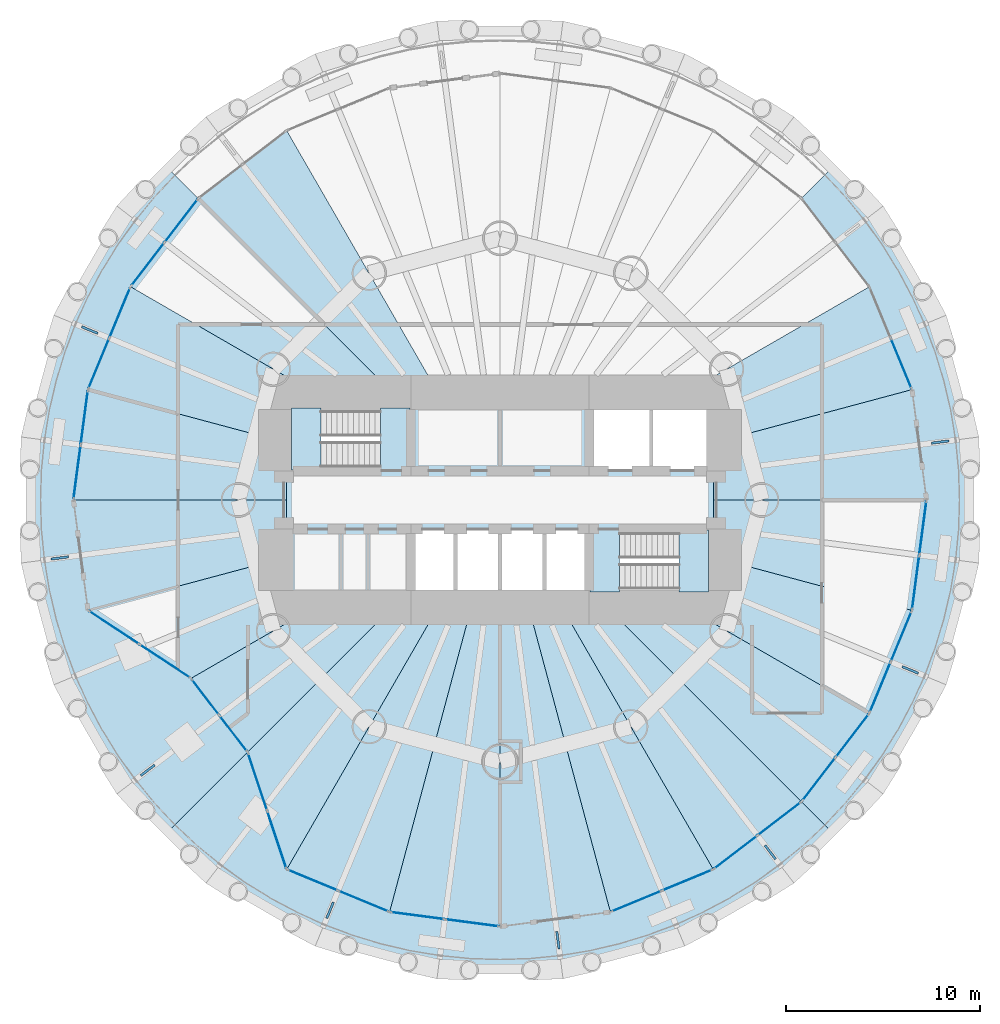
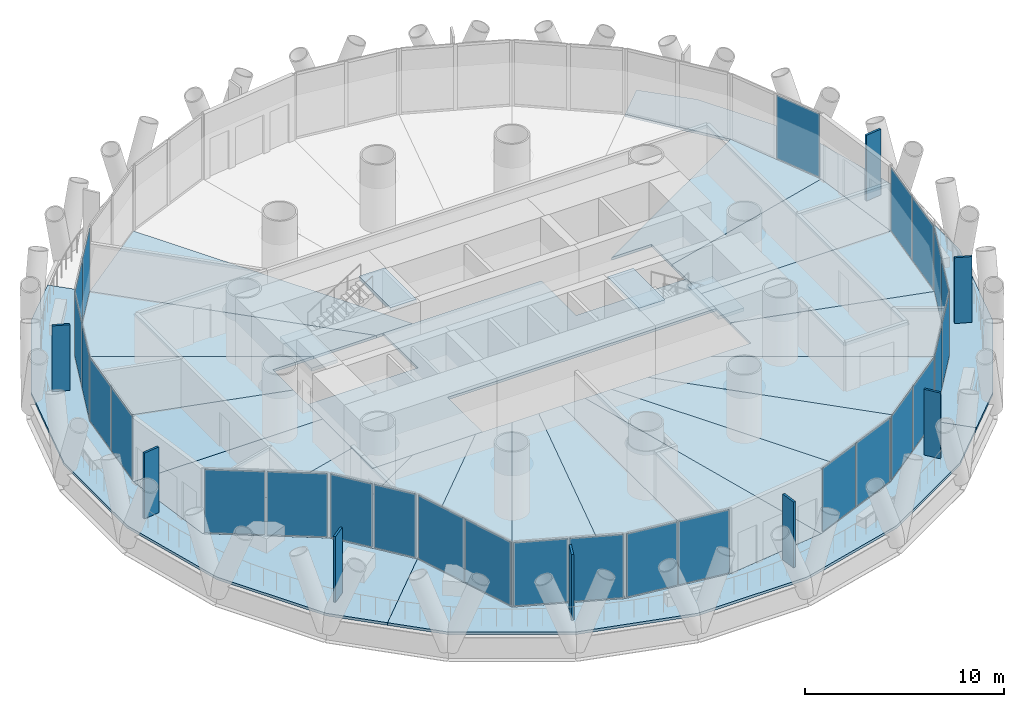
# One storey, part 7 of 14: 35 plates, 26 slabs, 16 elements without a shape of their own.
"""IFC4 building model written with IfcOpenShell, lengths in metres."""

from ifc_helpers import new_model, si_unit, direction, frame, origin, origin_2d, place, context, subcontext, project, spatial, polyline, rectangle, outline, extrude, material, layer, layer_set, type_object, element, aggregate, save


model = new_model("IFC4")

# Units and contexts
model_context = context("Model", 3, precision=1e-05, world=origin(), true_north=direction((0.0, 1.0)))
body_context = subcontext(model_context, "Body", "Model", "MODEL_VIEW")
ifc_project = project(units=[si_unit("LENGTHUNIT", "METRE"), si_unit("AREAUNIT", "SQUARE_METRE"), si_unit("VOLUMEUNIT", "CUBIC_METRE"), si_unit("PLANEANGLEUNIT", "RADIAN"), si_unit("MASSUNIT", "GRAM", prefix="KILO")], contexts=[model_context])

# Site, building, storey
site_placement = place(None, origin())
site = spatial("IfcSite", under=ifc_project, at=site_placement, CompositionType="ELEMENT")
building_placement = place(site_placement, origin())
building = spatial("IfcBuilding", under=site, at=building_placement, Name="Qaws Media Tower", CompositionType="ELEMENT")
storey_placement = place(building_placement, frame((0.0, 0.0, 185.60009765625)))
storey = spatial("IfcBuildingStorey", under=building, at=storey_placement, Name="L42", CompositionType="ELEMENT", Elevation=185.60009765625)

# Slabs
ifc_material_1 = material(Name="Concrete C35/45", Category="concrete")
ifc_layer_1 = layer(ifc_material_1, 0.159912109375)
ifc_layer_set_1 = layer_set([ifc_layer_1], Name="Composite balcony slab 160")
slab_type_1 = type_object("IfcSlabType", Name="Composite balcony slab 160", PredefinedType="FLOOR", material=ifc_layer_set_1)
slab_1_placement = place(storey_placement, frame((0.0, 0.0, -0.16015625)))
element("IfcSlab", 1, at=slab_1_placement, inside=storey, type_object=slab_type_1, Name="S2 balcony slab L42 R10 to R16, movement joints on R10 and R16", PredefinedType="FLOOR", context=body_context, shape_type="SweptSolid", body=[
    extrude(outline(polyline([(40.64208984375, 35.146240234375), (37.457275390625, 40.66259765625), (35.80859375, 46.815185546875), (35.80859375, 53.184814453125), (37.457275390625, 59.33740234375), (40.64208984375, 64.853759765625), (42.894287109375, 67.105712890625), (44.443603515625, 65.556396484375), (40.947509765625, 61.0), (38.74951171875, 55.694091796875), (38.0, 50.0), (38.74951171875, 44.305908203125), (44.065185546875, 40.800048828125), (46.9892578125, 36.9892578125), (42.894287109375, 32.894287109375), (40.64208984375, 35.146240234375)])), origin(), (0.0, 0.0, 1.0), 0.16015625),
])
slab_2_placement = place(storey_placement, frame((0.0, 0.0, -0.16015625)))
element("IfcSlab", 2, at=slab_2_placement, inside=storey, type_object=slab_type_1, Name="S2 balcony slab L42 R16 to R22, movement joints on R16 and R22", PredefinedType="FLOOR", context=body_context, shape_type="SweptSolid", body=[
    extrude(outline(polyline([(74.853759765625, 30.64208984375), (69.33740234375, 27.457275390625), (63.184814453125, 25.80859375), (56.815185546875, 25.80859375), (50.66259765625, 27.457275390625), (45.146240234375, 30.64208984375), (42.894287109375, 32.894287109375), (46.9892578125, 36.9892578125), (49.0, 30.947509765625), (54.305908203125, 28.74951171875), (60.0, 28.0), (65.694091796875, 28.74951171875), (71.0, 30.947509765625), (75.556396484375, 34.443603515625), (77.105712890625, 32.894287109375), (74.853759765625, 30.64208984375)])), origin(), (0.0, 0.0, 1.0), 0.16015625),
])
slab_3_placement = place(storey_placement, frame((0.0, 0.0, -0.16015625)))
element("IfcSlab", 3, at=slab_3_placement, inside=storey, type_object=slab_type_1, Name="S2 balcony slab L42 R22 to R04, movement joints on R22 and R04", PredefinedType="FLOOR", context=body_context, shape_type="SweptSolid", body=[
    extrude(outline(polyline([(82.542724609375, 40.66259765625), (79.35791015625, 35.146240234375), (77.105712890625, 32.894287109375), (75.556396484375, 34.443603515625), (79.052490234375, 39.0), (81.25048828125, 44.305908203125), (82.0, 50.0), (81.25048828125, 55.694091796875), (79.052490234375, 61.0), (75.556396484375, 65.556396484375), (77.105712890625, 67.105712890625), (79.35791015625, 64.853759765625), (82.542724609375, 59.33740234375), (84.19140625, 53.184814453125), (84.19140625, 46.815185546875), (82.542724609375, 40.66259765625)])), origin(), (0.0, 0.0, 1.0), 0.16015625),
])
ifc_material_2 = material(Name="Concrete C35/45", Category="concrete")
ifc_layer_2 = layer(ifc_material_2, 0.159912109375)
ifc_layer_set_2 = layer_set([ifc_layer_2], Name="Composite floor slab 160")
slab_type_2 = type_object("IfcSlabType", Name="Composite floor slab 160", PredefinedType="FLOOR", material=ifc_layer_set_2)
slab_4_placement = place(storey_placement, frame((0.0, 0.0, -0.16015625)))
element("IfcSlab", 4, at=slab_4_placement, inside=storey, type_object=slab_type_2, Name="S1 core floor slab L42", PredefinedType="FLOOR", context=body_context, shape_type="SweptSolid", body=[
    extrude(outline(polyline([(71.0, 51.5), (71.0, 48.5), (55.39990234375, 48.5), (55.39990234375, 45.0), (49.0, 45.0), (49.0, 51.5), (55.39990234375, 51.5), (55.39990234375, 55.0), (64.60009765625, 55.0), (64.60009765625, 51.5), (71.0, 51.5)])), origin(), (0.0, 0.0, 1.0), 0.16015625),
])
slab_5_placement = place(storey_placement, frame((0.0, 0.0, -0.16015625)))
element("IfcSlab", 5, at=slab_5_placement, inside=storey, type_object=slab_type_2, Name="S1 floor panel L42 on R01+7.5", PredefinedType="FLOOR", context=body_context, shape_type="SweptSolid", body=[
    extrude(outline(polyline([(81.25048828125, 55.694091796875), (82.0, 50.0), (71.0, 50.0), (71.0, 52.947509765625), (81.25048828125, 55.694091796875)])), origin(), (0.0, 0.0, 1.0), 0.16015625),
])
slab_6_placement = place(storey_placement, frame((0.0, 0.0, -0.16015625)))
element("IfcSlab", 6, at=slab_6_placement, inside=storey, type_object=slab_type_2, Name="S1 floor panel L42 on R02+7.5", PredefinedType="FLOOR", context=body_context, shape_type="SweptSolid", body=[
    extrude(outline(polyline([(79.052490234375, 61.0), (81.25048828125, 55.694091796875), (71.0, 52.947509765625), (71.0, 55.0), (68.660400390625, 55.0), (79.052490234375, 61.0)])), origin(), (0.0, 0.0, 1.0), 0.16015625),
])
slab_7_placement = place(storey_placement, frame((0.0, 0.0, -0.16015625)))
element("IfcSlab", 7, at=slab_7_placement, inside=storey, type_object=slab_type_2, Name="S1 floor panel L42 on R09+7.5", PredefinedType="FLOOR", context=body_context, shape_type="SweptSolid", body=[
    extrude(outline(polyline([(49.0, 69.052490234375), (57.11328125, 55.0), (55.0, 55.0), (44.443603515625, 65.556396484375), (49.0, 69.052490234375)])), origin(), (0.0, 0.0, 1.0), 0.16015625),
])
slab_8_placement = place(storey_placement, frame((0.0, 0.0, -0.16015625)))
element("IfcSlab", 8, at=slab_8_placement, inside=storey, type_object=slab_type_2, Name="S1 floor panel L42 on R10+7.5", PredefinedType="FLOOR", context=body_context, shape_type="SweptSolid", body=[
    extrude(outline(polyline([(44.443603515625, 65.556396484375), (55.0, 55.0), (51.339599609375, 55.0), (40.947509765625, 61.0), (44.443603515625, 65.556396484375)])), origin(), (0.0, 0.0, 1.0), 0.16015625),
])
slab_9_placement = place(storey_placement, frame((0.0, 0.0, -0.16015625)))
element("IfcSlab", 9, at=slab_9_placement, inside=storey, type_object=slab_type_2, Name="S1 floor panel L42 on R11+7.5", PredefinedType="FLOOR", context=body_context, shape_type="SweptSolid", body=[
    extrude(outline(polyline([(38.74951171875, 55.694091796875), (40.947509765625, 61.0), (51.339599609375, 55.0), (49.0, 55.0), (49.0, 52.947509765625), (38.74951171875, 55.694091796875)])), origin(), (0.0, 0.0, 1.0), 0.16015625),
])
slab_10_placement = place(storey_placement, frame((0.0, 0.0, -0.16015625)))
element("IfcSlab", 10, at=slab_10_placement, inside=storey, type_object=slab_type_2, Name="S1 floor panel L42 on R12+7.5", PredefinedType="FLOOR", context=body_context, shape_type="SweptSolid", body=[
    extrude(outline(polyline([(38.74951171875, 55.694091796875), (49.0, 52.947509765625), (49.0, 50.0), (38.0, 50.0), (38.74951171875, 55.694091796875)])), origin(), (0.0, 0.0, 1.0), 0.16015625),
])
slab_11_placement = place(storey_placement, frame((0.0, 0.0, -0.16015625)))
element("IfcSlab", 11, at=slab_11_placement, inside=storey, type_object=slab_type_2, Name="S1 floor panel L42 on R13+7.5", PredefinedType="FLOOR", context=body_context, shape_type="SweptSolid", body=[
    extrude(outline(polyline([(38.74951171875, 44.305908203125), (38.0, 50.0), (49.0, 50.0), (49.0, 47.052490234375), (38.74951171875, 44.305908203125)])), origin(), (0.0, 0.0, 1.0), 0.16015625),
])
slab_12_placement = place(storey_placement, frame((0.0, 0.0, -0.16015625)))
element("IfcSlab", 12, at=slab_12_placement, inside=storey, type_object=slab_type_2, Name="S1 floor panel L42 on R14+7.5", PredefinedType="FLOOR", context=body_context, shape_type="SweptSolid", body=[
    extrude(outline(polyline([(38.74951171875, 44.305908203125), (49.0, 47.052490234375), (49.0, 45.0), (51.339599609375, 45.0), (44.065185546875, 40.800048828125), (38.74951171875, 44.305908203125)])), origin(), (0.0, 0.0, 1.0), 0.16015625),
])
slab_13_placement = place(storey_placement, frame((0.0, 0.0, -0.16015625)))
element("IfcSlab", 13, at=slab_13_placement, inside=storey, type_object=slab_type_2, Name="S1 floor panel L42 on R15+7.5", PredefinedType="FLOOR", context=body_context, shape_type="SweptSolid", body=[
    extrude(outline(polyline([(44.065185546875, 40.800048828125), (51.339599609375, 45.0), (55.0, 45.0), (46.9892578125, 36.9892578125), (44.065185546875, 40.800048828125)])), origin(), (0.0, 0.0, 1.0), 0.16015625),
])
slab_14_placement = place(storey_placement, frame((0.0, 0.0, -0.16015625)))
element("IfcSlab", 14, at=slab_14_placement, inside=storey, type_object=slab_type_2, Name="S1 floor panel L42 on R16+7.5", PredefinedType="FLOOR", context=body_context, shape_type="SweptSolid", body=[
    extrude(outline(polyline([(46.9892578125, 36.9892578125), (55.0, 45.0), (57.11328125, 45.0), (49.0, 30.947509765625), (46.9892578125, 36.9892578125)])), origin(), (0.0, 0.0, 1.0), 0.16015625),
])
slab_15_placement = place(storey_placement, frame((0.0, 0.0, -0.16015625)))
element("IfcSlab", 15, at=slab_15_placement, inside=storey, type_object=slab_type_2, Name="S1 floor panel L42 on R17+7.5", PredefinedType="FLOOR", context=body_context, shape_type="SweptSolid", body=[
    extrude(outline(polyline([(49.0, 30.947509765625), (57.11328125, 45.0), (58.660400390625, 45.0), (54.305908203125, 28.74951171875), (49.0, 30.947509765625)])), origin(), (0.0, 0.0, 1.0), 0.16015625),
])
slab_16_placement = place(storey_placement, frame((0.0, 0.0, -0.16015625)))
element("IfcSlab", 16, at=slab_16_placement, inside=storey, type_object=slab_type_2, Name="S1 floor panel L42 on R18+7.5", PredefinedType="FLOOR", context=body_context, shape_type="SweptSolid", body=[
    extrude(outline(polyline([(54.305908203125, 28.74951171875), (58.660400390625, 45.0), (60.0, 45.0), (60.0, 28.0), (54.305908203125, 28.74951171875)])), origin(), (0.0, 0.0, 1.0), 0.16015625),
])
slab_17_placement = place(storey_placement, frame((0.0, 0.0, -0.16015625)))
element("IfcSlab", 17, at=slab_17_placement, inside=storey, type_object=slab_type_2, Name="S1 floor panel L42 on R19+7.5", PredefinedType="FLOOR", context=body_context, shape_type="SweptSolid", body=[
    extrude(outline(polyline([(65.694091796875, 28.74951171875), (60.0, 28.0), (60.0, 45.0), (61.339599609375, 45.0), (65.694091796875, 28.74951171875)])), origin(), (0.0, 0.0, 1.0), 0.16015625),
])
slab_18_placement = place(storey_placement, frame((0.0, 0.0, -0.16015625)))
element("IfcSlab", 18, at=slab_18_placement, inside=storey, type_object=slab_type_2, Name="S1 floor panel L42 on R20+7.5", PredefinedType="FLOOR", context=body_context, shape_type="SweptSolid", body=[
    extrude(outline(polyline([(71.0, 30.947509765625), (65.694091796875, 28.74951171875), (61.339599609375, 45.0), (62.88671875, 45.0), (71.0, 30.947509765625)])), origin(), (0.0, 0.0, 1.0), 0.16015625),
])
slab_19_placement = place(storey_placement, frame((0.0, 0.0, -0.16015625)))
element("IfcSlab", 19, at=slab_19_placement, inside=storey, type_object=slab_type_2, Name="S1 floor panel L42 on R21+7.5", PredefinedType="FLOOR", context=body_context, shape_type="SweptSolid", body=[
    extrude(outline(polyline([(71.0, 30.947509765625), (62.88671875, 45.0), (65.0, 45.0), (75.556396484375, 34.443603515625), (71.0, 30.947509765625)])), origin(), (0.0, 0.0, 1.0), 0.16015625),
])
slab_20_placement = place(storey_placement, frame((0.0, 0.0, -0.16015625)))
element("IfcSlab", 20, at=slab_20_placement, inside=storey, type_object=slab_type_2, Name="S1 floor panel L42 on R22+7.5", PredefinedType="FLOOR", context=body_context, shape_type="SweptSolid", body=[
    extrude(outline(polyline([(75.556396484375, 34.443603515625), (65.0, 45.0), (68.660400390625, 45.0), (79.052490234375, 39.0), (75.556396484375, 34.443603515625)])), origin(), (0.0, 0.0, 1.0), 0.16015625),
])
slab_21_placement = place(storey_placement, frame((0.0, 0.0, -0.16015625)))
element("IfcSlab", 21, at=slab_21_placement, inside=storey, type_object=slab_type_2, Name="S1 floor panel L42 on R23+7.5", PredefinedType="FLOOR", context=body_context, shape_type="SweptSolid", body=[
    extrude(outline(polyline([(81.25048828125, 44.305908203125), (79.052490234375, 39.0), (68.660400390625, 45.0), (71.0, 45.0), (71.0, 47.052490234375), (81.25048828125, 44.305908203125)])), origin(), (0.0, 0.0, 1.0), 0.16015625),
])
slab_22_placement = place(storey_placement, frame((0.0, 0.0, -0.16015625)))
element("IfcSlab", 22, at=slab_22_placement, inside=storey, type_object=slab_type_2, Name="S1 floor panel L42 on R24+7.5", PredefinedType="FLOOR", context=body_context, shape_type="SweptSolid", body=[
    extrude(outline(polyline([(81.25048828125, 44.305908203125), (71.0, 47.052490234375), (71.0, 50.0), (82.0, 50.0), (81.25048828125, 44.305908203125)])), origin(), (0.0, 0.0, 1.0), 0.16015625),
])

# Curtain wall, plate
ifc_material_3 = material(Name="Aluminium and clear glass", Category="aluminium")
curtain_wall_type_1 = type_object("IfcCurtainWallType", Name="Unitised curtain wall CW-B", PredefinedType="NOTDEFINED", material=ifc_material_3)
curtain_wall_1_placement = place(storey_placement, origin())
curtain_wall_1 = element("IfcCurtainWall", 23, at=curtain_wall_1_placement, inside=storey, type_object=curtain_wall_type_1, Name="CWB curtain wall L42-02", PredefinedType="NOTDEFINED")
ifc_material_4 = material(Name="Clear laminated double glazing", Category="glass")
ifc_layer_3 = layer(ifc_material_4, 0.031982421875)
ifc_layer_set_3 = layer_set([ifc_layer_3], Name="Curtain wall glass unit 32")
plate_type_1 = type_object("IfcPlateType", Name="Curtain wall glass unit 32", PredefinedType="CURTAIN_PANEL", material=ifc_layer_set_3)
plate_1_placement = place(storey_placement, frame((80.693359375, 57.0390625, 0.080078125), z_axis=(0.0, 0.0, 1.0), x_axis=(-0.38268338899, 0.923879550478, 0.0)))
plate_1 = element("IfcPlate", 24, at=plate_1_placement, type_object=plate_type_1, Name="CWB panel 1.1", PredefinedType="CURTAIN_PANEL", context=body_context, shape_type="SweptSolid", body=[
    extrude(rectangle(XDim=2.75146484375, YDim=0.031982421875, at=origin_2d()), origin(), (0.0, 0.0, 1.0), 3.8798828125),
])
aggregate(curtain_wall_1, [plate_1])

# Curtain wall, plates
curtain_wall_2_placement = place(storey_placement, origin())
curtain_wall_2 = element("IfcCurtainWall", 25, at=curtain_wall_2_placement, inside=storey, type_object=curtain_wall_type_1, Name="CWB curtain wall L42-10", PredefinedType="NOTDEFINED")
plate_2_placement = place(storey_placement, frame((43.557373046875, 64.4013671875, 0.080078125), z_axis=(0.0, 0.0, 1.0), x_axis=(-0.608761477846, -0.793353302817, 0.0)))
plate_2 = element("IfcPlate", 26, at=plate_2_placement, type_object=plate_type_1, Name="CWB panel 1.1", PredefinedType="CURTAIN_PANEL", context=body_context, shape_type="SweptSolid", body=[
    extrude(rectangle(XDim=2.75146484375, YDim=0.031982421875, at=origin_2d()), origin(), (0.0, 0.0, 1.0), 3.8798828125),
])
plate_3_placement = place(storey_placement, frame((41.833740234375, 62.155029296875, 0.080078125), z_axis=(0.0, 0.0, 1.0), x_axis=(-0.608761477846, -0.793353302817, 0.0)))
plate_3 = element("IfcPlate", 27, at=plate_3_placement, type_object=plate_type_1, Name="CWB panel 2.1", PredefinedType="CURTAIN_PANEL", context=body_context, shape_type="SweptSolid", body=[
    extrude(rectangle(XDim=2.75146484375, YDim=0.031982421875, at=origin_2d()), origin(), (0.0, 0.0, 1.0), 3.8798828125),
])
aggregate(curtain_wall_2, [plate_2, plate_3])

curtain_wall_3_placement = place(storey_placement, origin())
curtain_wall_3 = element("IfcCurtainWall", 28, at=curtain_wall_3_placement, inside=storey, type_object=curtain_wall_type_1, Name="CWB curtain wall L42-11", PredefinedType="NOTDEFINED")
plate_4_placement = place(storey_placement, frame((40.390380859375, 59.655029296875, 0.080078125), z_axis=(0.0, 0.0, 1.0), x_axis=(-0.38268338899, -0.923879550478, 0.0)))
plate_4 = element("IfcPlate", 29, at=plate_4_placement, type_object=plate_type_1, Name="CWB panel 1.1", PredefinedType="CURTAIN_PANEL", context=body_context, shape_type="SweptSolid", body=[
    extrude(rectangle(XDim=2.75146484375, YDim=0.031982421875, at=origin_2d()), origin(), (0.0, 0.0, 1.0), 3.8798828125),
])
plate_5_placement = place(storey_placement, frame((39.306640625, 57.0390625, 0.080078125), z_axis=(0.0, 0.0, 1.0), x_axis=(-0.38268338899, -0.923879550478, 0.0)))
plate_5 = element("IfcPlate", 30, at=plate_5_placement, type_object=plate_type_1, Name="CWB panel 2.1", PredefinedType="CURTAIN_PANEL", context=body_context, shape_type="SweptSolid", body=[
    extrude(rectangle(XDim=2.75146484375, YDim=0.031982421875, at=origin_2d()), origin(), (0.0, 0.0, 1.0), 3.8798828125),
])
aggregate(curtain_wall_3, [plate_4, plate_5])

curtain_wall_4_placement = place(storey_placement, origin())
curtain_wall_4 = element("IfcCurtainWall", 31, at=curtain_wall_4_placement, inside=storey, type_object=curtain_wall_type_1, Name="CWB curtain wall L42-12", PredefinedType="NOTDEFINED")
plate_6_placement = place(storey_placement, frame((38.5595703125, 54.250732421875, 0.080078125), z_axis=(0.0, 0.0, 1.0), x_axis=(-0.130526222571, -0.991444857378, 0.0)))
plate_6 = element("IfcPlate", 32, at=plate_6_placement, type_object=plate_type_1, Name="CWB panel 1.1", PredefinedType="CURTAIN_PANEL", context=body_context, shape_type="SweptSolid", body=[
    extrude(rectangle(XDim=2.75146484375, YDim=0.031982421875, at=origin_2d()), origin(), (0.0, 0.0, 1.0), 3.8798828125),
])
plate_7_placement = place(storey_placement, frame((38.18994140625, 51.443359375, 0.080078125), z_axis=(0.0, 0.0, 1.0), x_axis=(-0.130526222571, -0.991444857378, 0.0)))
plate_7 = element("IfcPlate", 33, at=plate_7_placement, type_object=plate_type_1, Name="CWB panel 2.1", PredefinedType="CURTAIN_PANEL", context=body_context, shape_type="SweptSolid", body=[
    extrude(rectangle(XDim=2.75146484375, YDim=0.031982421875, at=origin_2d()), origin(), (0.0, 0.0, 1.0), 3.8798828125),
])
aggregate(curtain_wall_4, [plate_6, plate_7])

ifc_material_5 = material(Name="Aluminium and clear glass", Category="aluminium")
curtain_wall_type_2 = type_object("IfcCurtainWallType", Name="Loggia curtain wall CW-G", PredefinedType="NOTDEFINED", material=ifc_material_5)
curtain_wall_5_placement = place(storey_placement, origin())
curtain_wall_5 = element("IfcCurtainWall", 34, at=curtain_wall_5_placement, inside=storey, type_object=curtain_wall_type_2, Name="CWG curtain wall L42-14", PredefinedType="NOTDEFINED")
plate_8_placement = place(storey_placement, frame((40.09521484375, 43.41845703125, 0.080078125), z_axis=(0.0, 0.0, 1.0), x_axis=(0.834771794553, -0.550596087, 0.0)))
plate_8 = element("IfcPlate", 35, at=plate_8_placement, type_object=plate_type_1, Name="CWG panel 1.1", PredefinedType="CURTAIN_PANEL", context=body_context, shape_type="SweptSolid", body=[
    extrude(rectangle(XDim=3.063720703125, YDim=0.031982421875, at=origin_2d()), origin(), (0.0, 0.0, 1.0), 3.8798828125),
])
plate_9_placement = place(storey_placement, frame((42.719482421875, 41.6875, 0.080078125), z_axis=(0.0, 0.0, 1.0), x_axis=(0.834771794553, -0.550596087, 0.0)))
plate_9 = element("IfcPlate", 36, at=plate_9_placement, type_object=plate_type_1, Name="CWG panel 2.1", PredefinedType="CURTAIN_PANEL", context=body_context, shape_type="SweptSolid", body=[
    extrude(rectangle(XDim=3.063720703125, YDim=0.031982421875, at=origin_2d()), origin(), (0.0, 0.0, 1.0), 3.8798828125),
])
aggregate(curtain_wall_5, [plate_8, plate_9])

curtain_wall_6_placement = place(storey_placement, origin())
curtain_wall_6 = element("IfcCurtainWall", 37, at=curtain_wall_6_placement, inside=storey, type_object=curtain_wall_type_2, Name="CWG curtain wall L42-15", PredefinedType="NOTDEFINED")
plate_10_placement = place(storey_placement, frame((44.808349609375, 39.83154296875, 0.080078125), z_axis=(0.0, 0.0, 1.0), x_axis=(0.60876132034, -0.793353423675, 0.0)))
plate_10 = element("IfcPlate", 38, at=plate_10_placement, type_object=plate_type_1, Name="CWG panel 1.1", PredefinedType="CURTAIN_PANEL", context=body_context, shape_type="SweptSolid", body=[
    extrude(rectangle(XDim=2.28173828125, YDim=0.031982421875, at=origin_2d()), origin(), (0.0, 0.0, 1.0), 3.8798828125),
])
plate_11_placement = place(storey_placement, frame((46.24609375, 37.957763671875, 0.080078125), z_axis=(0.0, 0.0, 1.0), x_axis=(0.60876132034, -0.793353423675, 0.0)))
plate_11 = element("IfcPlate", 39, at=plate_11_placement, type_object=plate_type_1, Name="CWG panel 2.1", PredefinedType="CURTAIN_PANEL", context=body_context, shape_type="SweptSolid", body=[
    extrude(rectangle(XDim=2.28173828125, YDim=0.031982421875, at=origin_2d()), origin(), (0.0, 0.0, 1.0), 3.8798828125),
])
aggregate(curtain_wall_6, [plate_10, plate_11])

curtain_wall_7_placement = place(storey_placement, origin())
curtain_wall_7 = element("IfcCurtainWall", 40, at=curtain_wall_7_placement, inside=storey, type_object=curtain_wall_type_2, Name="CWG curtain wall L42-16", PredefinedType="NOTDEFINED")
plate_12_placement = place(storey_placement, frame((47.498291015625, 35.459716796875, 0.080078125), z_axis=(0.0, 0.0, 1.0), x_axis=(0.315780200248, -0.948832369353, 0.0)))
plate_12 = element("IfcPlate", 41, at=plate_12_placement, type_object=plate_type_1, Name="CWG panel 1.1", PredefinedType="CURTAIN_PANEL", context=body_context, shape_type="SweptSolid", body=[
    extrude(rectangle(XDim=3.063720703125, YDim=0.031982421875, at=origin_2d()), origin(), (0.0, 0.0, 1.0), 3.8798828125),
])
plate_13_placement = place(storey_placement, frame((48.490966796875, 32.476806640625, 0.080078125), z_axis=(0.0, 0.0, 1.0), x_axis=(0.315780200248, -0.948832369353, 0.0)))
plate_13 = element("IfcPlate", 42, at=plate_13_placement, type_object=plate_type_1, Name="CWG panel 2.1", PredefinedType="CURTAIN_PANEL", context=body_context, shape_type="SweptSolid", body=[
    extrude(rectangle(XDim=3.063720703125, YDim=0.031982421875, at=origin_2d()), origin(), (0.0, 0.0, 1.0), 3.8798828125),
])
aggregate(curtain_wall_7, [plate_12, plate_13])

curtain_wall_8_placement = place(storey_placement, origin())
curtain_wall_8 = element("IfcCurtainWall", 43, at=curtain_wall_8_placement, inside=storey, type_object=curtain_wall_type_1, Name="CWB curtain wall L42-17", PredefinedType="NOTDEFINED")
plate_14_placement = place(storey_placement, frame((50.344970703125, 30.390380859375, 0.080078125), z_axis=(0.0, 0.0, 1.0), x_axis=(0.923879550478, -0.38268338899, 0.0)))
plate_14 = element("IfcPlate", 44, at=plate_14_placement, type_object=plate_type_1, Name="CWB panel 1.1", PredefinedType="CURTAIN_PANEL", context=body_context, shape_type="SweptSolid", body=[
    extrude(rectangle(XDim=2.75146484375, YDim=0.031982421875, at=origin_2d()), origin(), (0.0, 0.0, 1.0), 3.8798828125),
])
plate_15_placement = place(storey_placement, frame((52.9609375, 29.306640625, 0.080078125), z_axis=(0.0, 0.0, 1.0), x_axis=(0.923879550478, -0.38268338899, 0.0)))
plate_15 = element("IfcPlate", 45, at=plate_15_placement, type_object=plate_type_1, Name="CWB panel 2.1", PredefinedType="CURTAIN_PANEL", context=body_context, shape_type="SweptSolid", body=[
    extrude(rectangle(XDim=2.75146484375, YDim=0.031982421875, at=origin_2d()), origin(), (0.0, 0.0, 1.0), 3.8798828125),
])
aggregate(curtain_wall_8, [plate_14, plate_15])

curtain_wall_9_placement = place(storey_placement, origin())
curtain_wall_9 = element("IfcCurtainWall", 46, at=curtain_wall_9_placement, inside=storey, type_object=curtain_wall_type_1, Name="CWB curtain wall L42-18", PredefinedType="NOTDEFINED")
plate_16_placement = place(storey_placement, frame((55.749267578125, 28.5595703125, 0.080078125), z_axis=(0.0, 0.0, 1.0), x_axis=(0.991444857378, -0.130526222571, 0.0)))
plate_16 = element("IfcPlate", 47, at=plate_16_placement, type_object=plate_type_1, Name="CWB panel 1.1", PredefinedType="CURTAIN_PANEL", context=body_context, shape_type="SweptSolid", body=[
    extrude(rectangle(XDim=2.75146484375, YDim=0.031982421875, at=origin_2d()), origin(), (0.0, 0.0, 1.0), 3.8798828125),
])
plate_17_placement = place(storey_placement, frame((58.556640625, 28.18994140625, 0.080078125), z_axis=(0.0, 0.0, 1.0), x_axis=(0.991444857378, -0.130526222571, 0.0)))
plate_17 = element("IfcPlate", 48, at=plate_17_placement, type_object=plate_type_1, Name="CWB panel 2.1", PredefinedType="CURTAIN_PANEL", context=body_context, shape_type="SweptSolid", body=[
    extrude(rectangle(XDim=2.75146484375, YDim=0.031982421875, at=origin_2d()), origin(), (0.0, 0.0, 1.0), 3.8798828125),
])
aggregate(curtain_wall_9, [plate_16, plate_17])

curtain_wall_10_placement = place(storey_placement, origin())
curtain_wall_10 = element("IfcCurtainWall", 49, at=curtain_wall_10_placement, inside=storey, type_object=curtain_wall_type_1, Name="CWB curtain wall L42-20", PredefinedType="NOTDEFINED")
plate_18_placement = place(storey_placement, frame((67.0390625, 29.306640625, 0.080078125), z_axis=(0.0, 0.0, 1.0), x_axis=(0.923879550478, 0.38268338899, 0.0)))
plate_18 = element("IfcPlate", 50, at=plate_18_placement, type_object=plate_type_1, Name="CWB panel 1.1", PredefinedType="CURTAIN_PANEL", context=body_context, shape_type="SweptSolid", body=[
    extrude(rectangle(XDim=2.75146484375, YDim=0.031982421875, at=origin_2d()), origin(), (0.0, 0.0, 1.0), 3.8798828125),
])
plate_19_placement = place(storey_placement, frame((69.655029296875, 30.390380859375, 0.080078125), z_axis=(0.0, 0.0, 1.0), x_axis=(0.923879550478, 0.38268338899, 0.0)))
plate_19 = element("IfcPlate", 51, at=plate_19_placement, type_object=plate_type_1, Name="CWB panel 2.1", PredefinedType="CURTAIN_PANEL", context=body_context, shape_type="SweptSolid", body=[
    extrude(rectangle(XDim=2.75146484375, YDim=0.031982421875, at=origin_2d()), origin(), (0.0, 0.0, 1.0), 3.8798828125),
])
aggregate(curtain_wall_10, [plate_18, plate_19])

curtain_wall_11_placement = place(storey_placement, origin())
curtain_wall_11 = element("IfcCurtainWall", 52, at=curtain_wall_11_placement, inside=storey, type_object=curtain_wall_type_1, Name="CWB curtain wall L42-21", PredefinedType="NOTDEFINED")
plate_20_placement = place(storey_placement, frame((72.155029296875, 31.833740234375, 0.080078125), z_axis=(0.0, 0.0, 1.0), x_axis=(0.793353302817, 0.608761477846, 0.0)))
plate_20 = element("IfcPlate", 53, at=plate_20_placement, type_object=plate_type_1, Name="CWB panel 1.1", PredefinedType="CURTAIN_PANEL", context=body_context, shape_type="SweptSolid", body=[
    extrude(rectangle(XDim=2.75146484375, YDim=0.031982421875, at=origin_2d()), origin(), (0.0, 0.0, 1.0), 3.8798828125),
])
plate_21_placement = place(storey_placement, frame((74.4013671875, 33.557373046875, 0.080078125), z_axis=(0.0, 0.0, 1.0), x_axis=(0.793353302817, 0.608761477846, 0.0)))
plate_21 = element("IfcPlate", 54, at=plate_21_placement, type_object=plate_type_1, Name="CWB panel 2.1", PredefinedType="CURTAIN_PANEL", context=body_context, shape_type="SweptSolid", body=[
    extrude(rectangle(XDim=2.75146484375, YDim=0.031982421875, at=origin_2d()), origin(), (0.0, 0.0, 1.0), 3.8798828125),
])
aggregate(curtain_wall_11, [plate_20, plate_21])

curtain_wall_12_placement = place(storey_placement, origin())
curtain_wall_12 = element("IfcCurtainWall", 55, at=curtain_wall_12_placement, inside=storey, type_object=curtain_wall_type_1, Name="CWB curtain wall L42-22", PredefinedType="NOTDEFINED")
plate_22_placement = place(storey_placement, frame((76.442626953125, 35.5986328125, 0.080078125), z_axis=(0.0, 0.0, 1.0), x_axis=(0.608761477846, 0.793353302817, 0.0)))
plate_22 = element("IfcPlate", 56, at=plate_22_placement, type_object=plate_type_1, Name="CWB panel 1.1", PredefinedType="CURTAIN_PANEL", context=body_context, shape_type="SweptSolid", body=[
    extrude(rectangle(XDim=2.75146484375, YDim=0.031982421875, at=origin_2d()), origin(), (0.0, 0.0, 1.0), 3.8798828125),
])
plate_23_placement = place(storey_placement, frame((78.166259765625, 37.844970703125, 0.080078125), z_axis=(0.0, 0.0, 1.0), x_axis=(0.608761477846, 0.793353302817, 0.0)))
plate_23 = element("IfcPlate", 57, at=plate_23_placement, type_object=plate_type_1, Name="CWB panel 2.1", PredefinedType="CURTAIN_PANEL", context=body_context, shape_type="SweptSolid", body=[
    extrude(rectangle(XDim=2.75146484375, YDim=0.031982421875, at=origin_2d()), origin(), (0.0, 0.0, 1.0), 3.8798828125),
])
aggregate(curtain_wall_12, [plate_22, plate_23])

curtain_wall_13_placement = place(storey_placement, origin())
curtain_wall_13 = element("IfcCurtainWall", 58, at=curtain_wall_13_placement, inside=storey, type_object=curtain_wall_type_1, Name="CWB curtain wall L42-23", PredefinedType="NOTDEFINED")
plate_24_placement = place(storey_placement, frame((79.609619140625, 40.344970703125, 0.080078125), z_axis=(0.0, 0.0, 1.0), x_axis=(0.38268338899, 0.923879550478, 0.0)))
plate_24 = element("IfcPlate", 59, at=plate_24_placement, type_object=plate_type_1, Name="CWB panel 1.1", PredefinedType="CURTAIN_PANEL", context=body_context, shape_type="SweptSolid", body=[
    extrude(rectangle(XDim=2.75146484375, YDim=0.031982421875, at=origin_2d()), origin(), (0.0, 0.0, 1.0), 3.8798828125),
])
plate_25_placement = place(storey_placement, frame((80.693359375, 42.9609375, 0.080078125), z_axis=(0.0, 0.0, 1.0), x_axis=(0.38268338899, 0.923879550478, 0.0)))
plate_25 = element("IfcPlate", 60, at=plate_25_placement, type_object=plate_type_1, Name="CWB panel 2.1", PredefinedType="CURTAIN_PANEL", context=body_context, shape_type="SweptSolid", body=[
    extrude(rectangle(XDim=2.75146484375, YDim=0.031982421875, at=origin_2d()), origin(), (0.0, 0.0, 1.0), 3.8798828125),
])
aggregate(curtain_wall_13, [plate_24, plate_25])

curtain_wall_14_placement = place(storey_placement, origin())
curtain_wall_14 = element("IfcCurtainWall", 61, at=curtain_wall_14_placement, inside=storey, type_object=curtain_wall_type_1, Name="CWB curtain wall L42-24", PredefinedType="NOTDEFINED")
plate_26_placement = place(storey_placement, frame((81.4404296875, 45.749267578125, 0.080078125), z_axis=(0.0, 0.0, 1.0), x_axis=(0.130526222571, 0.991444857378, 0.0)))
plate_26 = element("IfcPlate", 62, at=plate_26_placement, type_object=plate_type_1, Name="CWB panel 1.1", PredefinedType="CURTAIN_PANEL", context=body_context, shape_type="SweptSolid", body=[
    extrude(rectangle(XDim=2.75146484375, YDim=0.031982421875, at=origin_2d()), origin(), (0.0, 0.0, 1.0), 3.8798828125),
])
plate_27_placement = place(storey_placement, frame((81.81005859375, 48.556640625, 0.080078125), z_axis=(0.0, 0.0, 1.0), x_axis=(0.130526222571, 0.991444857378, 0.0)))
plate_27 = element("IfcPlate", 63, at=plate_27_placement, type_object=plate_type_1, Name="CWB panel 2.1", PredefinedType="CURTAIN_PANEL", context=body_context, shape_type="SweptSolid", body=[
    extrude(rectangle(XDim=2.75146484375, YDim=0.031982421875, at=origin_2d()), origin(), (0.0, 0.0, 1.0), 3.8798828125),
])
aggregate(curtain_wall_14, [plate_26, plate_27])

# Plates
ifc_material_6 = material(Name="Precast concrete screen fin", Category="concrete")
ifc_layer_4 = layer(ifc_material_6, 0.1201171875)
ifc_layer_set_4 = layer_set([ifc_layer_4], Name="Screen fin 120x900")
plate_type_2 = type_object("IfcPlateType", Name="Screen fin 120x900", PredefinedType="USERDEFINED", material=ifc_layer_set_4)
for number, where, z_axis, x_axis, name in (
    (64, (82.7041015625, 52.989013671875, 0.0), (0.0, 0.0, 1.0), (0.991444861374, 0.13052619222, 0.0), "SCR1 screen fin L42-01"),
    (65, (38.84326171875, 58.763427734375, 0.0), (0.0, 0.0, 1.0), (-0.923879532511, 0.382683432365, 0.0), "SCR1 screen fin L42-06"),
    (66, (37.2958984375, 47.010986328125, 0.0), (0.0, 0.0, 1.0), (-0.991444861374, -0.13052619222, 0.0), "SCR1 screen fin L42-07"),
    (67, (41.832275390625, 36.059326171875, 0.0), (0.0, 0.0, 1.0), (-0.793353340291, -0.608761429009, 0.0), "SCR1 screen fin L42-08"),
    (68, (51.236572265625, 28.84326171875, 0.0), (0.0, 0.0, 1.0), (-0.382683432365, -0.923879532511, 0.0), "SCR1 screen fin L42-09"),
    (69, (62.989013671875, 27.2958984375, 0.0), (0.0, 0.0, 1.0), (0.13052619222, -0.991444861374, 0.0), "SCR1 screen fin L42-10"),
    (70, (73.940673828125, 31.832275390625, 0.0), (0.0, 0.0, 1.0), (0.608761429009, -0.793353340291, 0.0), "SCR1 screen fin L42-11"),
    (71, (81.15673828125, 41.236572265625, 0.0), (0.0, 0.0, 1.0), (0.923879532511, -0.382683432365, 0.0), "SCR1 screen fin L42-12"),
):
    element("IfcPlate", number, at=place(storey_placement, frame(where, z_axis=z_axis, x_axis=x_axis)), inside=storey, type_object=plate_type_2, Name=name, ObjectType="SCREEN", PredefinedType="USERDEFINED", context=body_context, shape_type="SweptSolid", body=[
        extrude(rectangle(XDim=0.89990234375, YDim=0.1201171875, at=origin_2d()), origin(), (0.0, 0.0, 1.0), 4.0400390625),
    ])

# Stair, slabs
ifc_material_7 = material(Name="Concrete C40/50", Category="concrete")
stair_type = type_object("IfcStairType", Name="Exit stair", PredefinedType="HALF_TURN_STAIR", material=ifc_material_7)
stair_1_placement = place(storey_placement, origin())
stair_1 = element("IfcStair", 72, at=stair_1_placement, inside=storey, type_object=stair_type, Name="S1 exit stair L42", PredefinedType="HALF_TURN_STAIR")
ifc_material_8 = material(Name="Concrete C40/50", Category="concrete")
ifc_layer_5 = layer(ifc_material_8, 0.199951171875)
ifc_layer_set_5 = layer_set([ifc_layer_5], Name="Stair landing 200")
slab_type_3 = type_object("IfcSlabType", Name="Stair landing 200", PredefinedType="LANDING", material=ifc_layer_set_5)
slab_23_placement = place(storey_placement, frame((0.0, 0.0, 1.89990234375)))
slab_23 = element("IfcSlab", 73, at=slab_23_placement, type_object=slab_type_3, Name="S1 landing 1", PredefinedType="LANDING", context=body_context, shape_type="SweptSolid", body=[
    extrude(outline(polyline([(49.25, 51.550048828125), (50.760009765625, 51.550048828125), (50.760009765625, 54.75), (49.25, 54.75), (49.25, 51.550048828125)])), origin(), (0.0, 0.0, 1.0), 0.199951171875),
])
slab_24_placement = place(storey_placement, frame((0.0, 0.0, 4.0)))
slab_24 = element("IfcSlab", 74, at=slab_24_placement, type_object=slab_type_3, Name="S1 landing 2", PredefinedType="LANDING", context=body_context, shape_type="SweptSolid", body=[
    extrude(outline(polyline([(53.840087890625, 51.550048828125), (55.35009765625, 51.550048828125), (55.35009765625, 54.75), (53.840087890625, 54.75), (53.840087890625, 51.550048828125)])), origin(), (0.0, 0.0, 1.0), 0.199951171875),
])
aggregate(stair_1, [slab_23, slab_24])

stair_2_placement = place(storey_placement, origin())
stair_2 = element("IfcStair", 75, at=stair_2_placement, inside=storey, type_object=stair_type, Name="S2 exit stair L42", PredefinedType="HALF_TURN_STAIR")
slab_25_placement = place(storey_placement, frame((0.0, 0.0, 1.89990234375)))
slab_25 = element("IfcSlab", 76, at=slab_25_placement, type_object=slab_type_3, Name="S2 landing 1", PredefinedType="LANDING", context=body_context, shape_type="SweptSolid", body=[
    extrude(outline(polyline([(69.239990234375, 45.25), (70.75, 45.25), (70.75, 48.449951171875), (69.239990234375, 48.449951171875), (69.239990234375, 45.25)])), origin(), (0.0, 0.0, 1.0), 0.199951171875),
])
slab_26_placement = place(storey_placement, frame((0.0, 0.0, 4.0)))
slab_26 = element("IfcSlab", 77, at=slab_26_placement, type_object=slab_type_3, Name="S2 landing 2", PredefinedType="LANDING", context=body_context, shape_type="SweptSolid", body=[
    extrude(outline(polyline([(64.64990234375, 45.25), (66.159912109375, 45.25), (66.159912109375, 48.449951171875), (64.64990234375, 48.449951171875), (64.64990234375, 45.25)])), origin(), (0.0, 0.0, 1.0), 0.199951171875),
])
aggregate(stair_2, [slab_25, slab_26])

save(model, "model.ifc")
